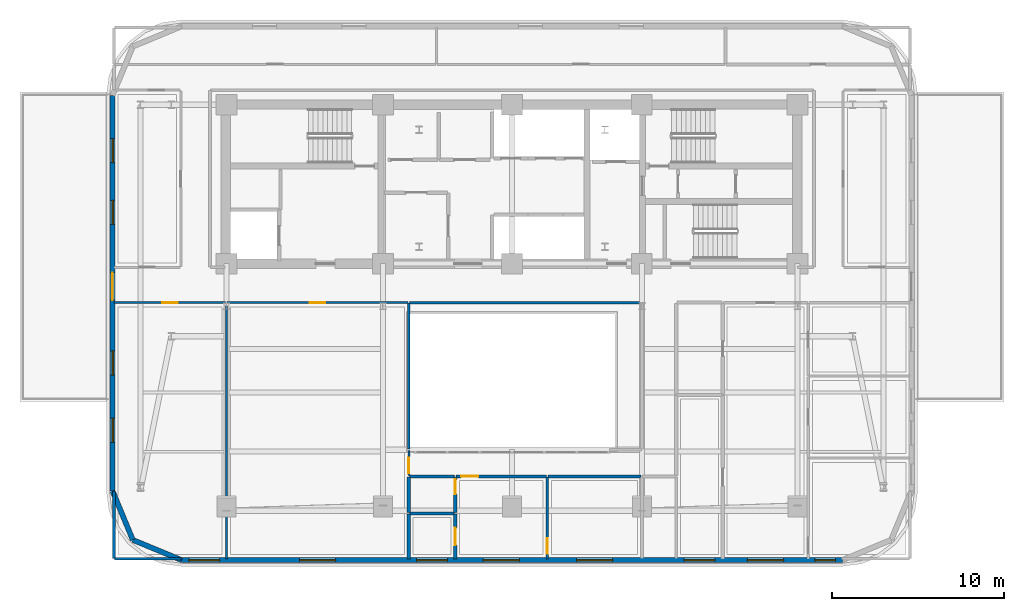
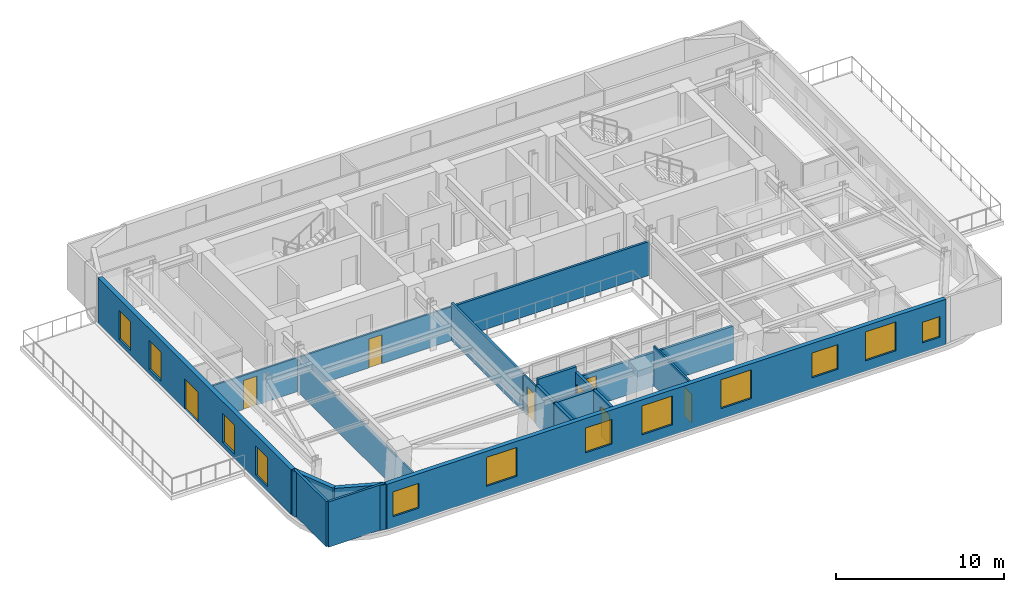
# One storey, part 6 of 13: 21 walls, 12 windows, 8 doors, 20 openings.
"""IFC4 building model written with IfcOpenShell, lengths in metres."""

from ifc_helpers import new_model, si_unit, direction, frame, frame_2d, origin, place, context, subcontext, project, spatial, rectangle, extrude, material, layer, layer_set, type_object, element, fill, save


model = new_model("IFC4")

# Units and contexts
model_context = context("Model", 3, precision=1e-05, world=origin(), true_north=direction((0.0, 1.0)))
body_context = subcontext(model_context, "Body", "Model", "MODEL_VIEW")
ifc_project = project(units=[si_unit("LENGTHUNIT", "METRE"), si_unit("AREAUNIT", "SQUARE_METRE"), si_unit("VOLUMEUNIT", "CUBIC_METRE"), si_unit("PLANEANGLEUNIT", "RADIAN"), si_unit("MASSUNIT", "GRAM", prefix="KILO")], contexts=[model_context])

# Site, building, storey
site_placement = place(None, origin())
site = spatial("IfcSite", under=ifc_project, at=site_placement, CompositionType="ELEMENT")
building_placement = place(site_placement, origin())
building = spatial("IfcBuilding", under=site, at=building_placement, Name="Zarnavel Station Tower", CompositionType="ELEMENT")
storey_placement = place(building_placement, frame((0.0, 0.0, 137.699951171875)))
storey = spatial("IfcBuildingStorey", under=building, at=storey_placement, Name="L37", CompositionType="ELEMENT", Elevation=137.699951171875)

# Wall, openings, door, windows
ifc_material_1 = material(Name="Precast concrete C45/55 (Dark Basalt Finish)", Category="masonry")
ifc_layer_1 = layer(ifc_material_1, 0.300048828125)
ifc_layer_set_1 = layer_set([ifc_layer_1], Name="EW_BASALT_300")
wall_type_1 = type_object("IfcWallType", Name="EW_BASALT_300", PredefinedType="SOLIDWALL", material=ifc_layer_set_1)
wall_1_placement = place(storey_placement, frame((5.580078125, 14.60009765625, 0.0), z_axis=(0.0, 0.0, 1.0), x_axis=(0.0, 1.0, 0.0)))
wall_1 = element("IfcWall", 1, at=wall_1_placement, inside=storey, type_object=wall_type_1, Name="L37 Exterior Basalt Masonry Frame Wall 09", PredefinedType="SOLIDWALL", context=body_context, shape_type="SweptSolid", body=[
    extrude(rectangle(XDim=23.0, YDim=0.300048828125, at=frame_2d((11.5, 0.0))), origin(), (0.0, 0.0, 1.0), 3.2900390625),
])
opening_1_placement = place(wall_1_placement, frame((11.10009765625, 0.0, 0.0)))
opening_1 = element("IfcOpeningElement", 2, at=opening_1_placement, cuts=wall_1, Name="Opening ED03", PredefinedType="OPENING", context=body_context, shape_type="SweptSolid", body=[
    extrude(rectangle(XDim=1.60009765625, YDim=2.199951171875, at=frame_2d((0.800048828125, 1.10009765625))), frame((0.0, 0.159912109375, 0.0), z_axis=(0.0, -1.0, 0.0), x_axis=(1.0, 0.0, 0.0)), (0.0, 0.0, 1.0), 0.320068359375),
])
opening_2_placement = place(wall_1_placement, frame((15.493408203125, 0.0, 0.340087890625)))
opening_2 = element("IfcOpeningElement", 3, at=opening_2_placement, cuts=wall_1, Name="Opening WN04", PredefinedType="OPENING", context=body_context, shape_type="SweptSolid", body=[
    extrude(rectangle(XDim=1.39990234375, YDim=2.10009765625, at=frame_2d((0.699951171875, 1.050048828125))), frame((0.0, 0.159912109375, 0.0), z_axis=(0.0, -1.0, 0.0), x_axis=(1.0, 0.0, 0.0)), (0.0, 0.0, 1.0), 0.320068359375),
])
opening_3_placement = place(wall_1_placement, frame((19.086669921875, 0.0, 0.340087890625)))
opening_3 = element("IfcOpeningElement", 4, at=opening_3_placement, cuts=wall_1, Name="Opening WN04", PredefinedType="OPENING", context=body_context, shape_type="SweptSolid", body=[
    extrude(rectangle(XDim=1.39990234375, YDim=2.10009765625, at=frame_2d((0.699951171875, 1.050048828125))), frame((0.0, 0.159912109375, 0.0), z_axis=(0.0, -1.0, 0.0), x_axis=(1.0, 0.0, 0.0)), (0.0, 0.0, 1.0), 0.320068359375),
])
opening_4_placement = place(wall_1_placement, frame((2.830078125, 0.0, 0.340087890625)))
opening_4 = element("IfcOpeningElement", 5, at=opening_4_placement, cuts=wall_1, Name="Opening WN04", PredefinedType="OPENING", context=body_context, shape_type="SweptSolid", body=[
    extrude(rectangle(XDim=1.39990234375, YDim=2.10009765625, at=frame_2d((0.699951171875, 1.050048828125))), frame((0.0, 0.159912109375, 0.0), z_axis=(0.0, -1.0, 0.0), x_axis=(1.0, 0.0, 0.0)), (0.0, 0.0, 1.0), 0.320068359375),
])
opening_5_placement = place(wall_1_placement, frame((6.739990234375, 0.0, 0.340087890625)))
opening_5 = element("IfcOpeningElement", 6, at=opening_5_placement, cuts=wall_1, Name="Opening WN04", PredefinedType="OPENING", context=body_context, shape_type="SweptSolid", body=[
    extrude(rectangle(XDim=1.39990234375, YDim=2.10009765625, at=frame_2d((0.699951171875, 1.050048828125))), frame((0.0, 0.159912109375, 0.0), z_axis=(0.0, -1.0, 0.0), x_axis=(1.0, 0.0, 0.0)), (0.0, 0.0, 1.0), 0.320068359375),
])
ifc_material_2 = material(Name="Thermally Broken Black Aluminium and Laminated Safety Glass", Category="aluminium")
door_type_1 = type_object("IfcDoorType", Name="ED_TERR_1600", OperationType="DOUBLE_DOOR_SLIDING", PredefinedType="DOOR", material=ifc_material_2)
door_1_placement = place(opening_1_placement, origin())
door_1 = element("IfcDoor", 7, at=door_1_placement, inside=storey, type_object=door_type_1, Name="L37 W Setback Terrace Door", OperationType="DOUBLE_DOOR_SLIDING", OverallHeight=2.199951171875, OverallWidth=1.60009765625, PredefinedType="DOOR", context=body_context, shape_type="SweptSolid", body=[
    extrude(rectangle(XDim=1.60009765625, YDim=2.199951171875, at=frame_2d((0.800048828125, 1.10009765625))), frame((0.0, 0.02490234375, 0.0), z_axis=(0.0, -1.0, 0.0), x_axis=(1.0, 0.0, 0.0)), (0.0, 0.0, 1.0), 0.050048828125),
])
fill(opening_1, door_1)
ifc_material_3 = material(Name="Thermally Broken Black Aluminium and Low-E Dark Glass", Category="aluminium")
window_type_1 = type_object("IfcWindowType", Name="WN_1400x2100", PartitioningType="DOUBLE_PANEL_VERTICAL", PredefinedType="WINDOW", material=ifc_material_3)
window_1_placement = place(opening_2_placement, origin())
window_1 = element("IfcWindow", 8, at=window_1_placement, inside=storey, type_object=window_type_1, Name="L37 Recessed Facade Window 01", OverallHeight=2.10009765625, OverallWidth=1.39990234375, PartitioningType="SINGLE_PANEL", PredefinedType="WINDOW", context=body_context, shape_type="SweptSolid", body=[
    extrude(rectangle(XDim=1.39990234375, YDim=2.10009765625, at=frame_2d((0.699951171875, 1.050048828125))), frame((0.0, 0.030029296875, 0.0), z_axis=(0.0, -1.0, 0.0), x_axis=(1.0, 0.0, 0.0)), (0.0, 0.0, 1.0), 0.06005859375),
])
fill(opening_2, window_1)
window_2_placement = place(opening_3_placement, origin())
window_2 = element("IfcWindow", 9, at=window_2_placement, inside=storey, type_object=window_type_1, Name="L37 Recessed Facade Window 02", OverallHeight=2.10009765625, OverallWidth=1.39990234375, PartitioningType="SINGLE_PANEL", PredefinedType="WINDOW", context=body_context, shape_type="SweptSolid", body=[
    extrude(rectangle(XDim=1.39990234375, YDim=2.10009765625, at=frame_2d((0.699951171875, 1.050048828125))), frame((0.0, 0.030029296875, 0.0), z_axis=(0.0, -1.0, 0.0), x_axis=(1.0, 0.0, 0.0)), (0.0, 0.0, 1.0), 0.06005859375),
])
fill(opening_3, window_2)
window_3_placement = place(opening_4_placement, origin())
window_3 = element("IfcWindow", 10, at=window_3_placement, inside=storey, type_object=window_type_1, Name="L37 Recessed Facade Window 03", OverallHeight=2.10009765625, OverallWidth=1.39990234375, PartitioningType="SINGLE_PANEL", PredefinedType="WINDOW", context=body_context, shape_type="SweptSolid", body=[
    extrude(rectangle(XDim=1.39990234375, YDim=2.10009765625, at=frame_2d((0.699951171875, 1.050048828125))), frame((0.0, 0.030029296875, 0.0), z_axis=(0.0, -1.0, 0.0), x_axis=(1.0, 0.0, 0.0)), (0.0, 0.0, 1.0), 0.06005859375),
])
fill(opening_4, window_3)
window_4_placement = place(opening_5_placement, origin())
window_4 = element("IfcWindow", 11, at=window_4_placement, inside=storey, type_object=window_type_1, Name="L37 Recessed Facade Window 04", OverallHeight=2.10009765625, OverallWidth=1.39990234375, PartitioningType="SINGLE_PANEL", PredefinedType="WINDOW", context=body_context, shape_type="SweptSolid", body=[
    extrude(rectangle(XDim=1.39990234375, YDim=2.10009765625, at=frame_2d((0.699951171875, 1.050048828125))), frame((0.0, 0.030029296875, 0.0), z_axis=(0.0, -1.0, 0.0), x_axis=(1.0, 0.0, 0.0)), (0.0, 0.0, 1.0), 0.06005859375),
])
fill(opening_5, window_4)

# Walls
for number, where, z_axis, x_axis, name in (
    (12, (6.75732421875, 11.75732421875, 0.0), (0.0, 0.0, 1.0), (-0.382608747773, 0.923910464346, 0.0), "L37 Exterior Basalt Masonry Frame Wall 10"),
    (13, (9.60009765625, 10.580078125, 0.0), (0.0, 0.0, 1.0), (-0.923910464346, 0.382608747773, 0.0), "L37 Exterior Basalt Masonry Frame Wall 11"),
):
    element("IfcWall", number, at=place(storey_placement, frame(where, z_axis=z_axis, x_axis=x_axis)), inside=storey, type_object=wall_type_1, Name=name, PredefinedType="SOLIDWALL", context=body_context, shape_type="SweptSolid", body=[
        extrude(rectangle(XDim=3.076904296875, YDim=0.300048828125, at=frame_2d((1.53857421875, 0.0))), origin(), (0.0, 0.0, 1.0), 3.2900390625),
    ])

# Wall, openings, windows
wall_2_placement = place(storey_placement, frame((48.0, 10.580078125, 0.0), z_axis=(0.0, 0.0, 1.0), x_axis=(-1.0, 0.0, 0.0)))
wall_2 = element("IfcWall", 14, at=wall_2_placement, inside=storey, type_object=wall_type_1, Name="L37 Exterior Basalt Masonry Frame Wall 12", PredefinedType="SOLIDWALL", context=body_context, shape_type="SweptSolid", body=[
    extrude(rectangle(XDim=38.39990234375, YDim=0.300048828125, at=frame_2d((19.199951171875, 0.0))), origin(), (0.0, 0.0, 1.0), 3.2900390625),
])
opening_6_placement = place(wall_2_placement, frame((36.18994140625, 0.0, 0.800048828125)))
opening_6 = element("IfcOpeningElement", 15, at=opening_6_placement, cuts=wall_2, Name="Opening WN02", PredefinedType="OPENING", context=body_context, shape_type="SweptSolid", body=[
    extrude(rectangle(XDim=1.800048828125, YDim=1.800048828125, at=frame_2d((0.89990234375, 0.89990234375))), frame((0.0, 0.159912109375, 0.0), z_axis=(0.0, -1.0, 0.0), x_axis=(1.0, 0.0, 0.0)), (0.0, 0.0, 1.0), 0.320068359375),
])
opening_7_placement = place(wall_2_placement, frame((29.449951171875, 0.0, 0.75)))
opening_7 = element("IfcOpeningElement", 16, at=opening_7_placement, cuts=wall_2, Name="Opening WN05", PredefinedType="OPENING", context=body_context, shape_type="SweptSolid", body=[
    extrude(rectangle(XDim=2.10009765625, YDim=2.10009765625, at=frame_2d((1.050048828125, 1.050048828125))), frame((0.0, 0.159912109375, 0.0), z_axis=(0.0, -1.0, 0.0), x_axis=(1.0, 0.0, 0.0)), (0.0, 0.0, 1.0), 0.320068359375),
])
opening_8_placement = place(wall_2_placement, frame((18.77490234375, 0.0, 0.75)))
opening_8 = element("IfcOpeningElement", 17, at=opening_8_placement, cuts=wall_2, Name="Opening WN05", PredefinedType="OPENING", context=body_context, shape_type="SweptSolid", body=[
    extrude(rectangle(XDim=2.10009765625, YDim=2.10009765625, at=frame_2d((1.050048828125, 1.050048828125))), frame((0.0, 0.159912109375, 0.0), z_axis=(0.0, -1.0, 0.0), x_axis=(1.0, 0.0, 0.0)), (0.0, 0.0, 1.0), 0.320068359375),
])
opening_9_placement = place(wall_2_placement, frame((22.949951171875, 0.0, 0.800048828125)))
opening_9 = element("IfcOpeningElement", 18, at=opening_9_placement, cuts=wall_2, Name="Opening WN02", PredefinedType="OPENING", context=body_context, shape_type="SweptSolid", body=[
    extrude(rectangle(XDim=1.800048828125, YDim=1.800048828125, at=frame_2d((0.89990234375, 0.89990234375))), frame((0.0, 0.159912109375, 0.0), z_axis=(0.0, -1.0, 0.0), x_axis=(1.0, 0.0, 0.0)), (0.0, 0.0, 1.0), 0.320068359375),
])
opening_10_placement = place(wall_2_placement, frame((13.35009765625, 0.0, 0.75)))
opening_10 = element("IfcOpeningElement", 19, at=opening_10_placement, cuts=wall_2, Name="Opening WN05", PredefinedType="OPENING", context=body_context, shape_type="SweptSolid", body=[
    extrude(rectangle(XDim=2.10009765625, YDim=2.10009765625, at=frame_2d((1.050048828125, 1.050048828125))), frame((0.0, 0.159912109375, 0.0), z_axis=(0.0, -1.0, 0.0), x_axis=(1.0, 0.0, 0.0)), (0.0, 0.0, 1.0), 0.320068359375),
])
opening_11_placement = place(wall_2_placement, frame((3.4150390625, 0.0, 0.75)))
opening_11 = element("IfcOpeningElement", 20, at=opening_11_placement, cuts=wall_2, Name="Opening WN05", PredefinedType="OPENING", context=body_context, shape_type="SweptSolid", body=[
    extrude(rectangle(XDim=2.10009765625, YDim=2.10009765625, at=frame_2d((1.050048828125, 1.050048828125))), frame((0.0, 0.159912109375, 0.0), z_axis=(0.0, -1.0, 0.0), x_axis=(1.0, 0.0, 0.0)), (0.0, 0.0, 1.0), 0.320068359375),
])
opening_12_placement = place(wall_2_placement, frame((7.39990234375, 0.0, 0.800048828125)))
opening_12 = element("IfcOpeningElement", 21, at=opening_12_placement, cuts=wall_2, Name="Opening WN02", PredefinedType="OPENING", context=body_context, shape_type="SweptSolid", body=[
    extrude(rectangle(XDim=1.800048828125, YDim=1.800048828125, at=frame_2d((0.89990234375, 0.89990234375))), frame((0.0, 0.159912109375, 0.0), z_axis=(0.0, -1.0, 0.0), x_axis=(1.0, 0.0, 0.0)), (0.0, 0.0, 1.0), 0.320068359375),
])
opening_13_placement = place(wall_2_placement, frame((0.39990234375, 0.0, 0.679931640625)))
opening_13 = element("IfcOpeningElement", 22, at=opening_13_placement, cuts=wall_2, Name="Opening WN08", PredefinedType="OPENING", context=body_context, shape_type="SweptSolid", body=[
    extrude(rectangle(XDim=1.199951171875, YDim=1.5, at=frame_2d((0.60009765625, 0.75))), frame((0.0, 0.159912109375, 0.0), z_axis=(0.0, -1.0, 0.0), x_axis=(1.0, 0.0, 0.0)), (0.0, 0.0, 1.0), 0.320068359375),
])
ifc_material_4 = material(Name="Thermally Broken Black Aluminium and Low-E Dark Glass", Category="aluminium")
window_type_2 = type_object("IfcWindowType", Name="WN_1200x1500", PartitioningType="SINGLE_PANEL", PredefinedType="WINDOW", material=ifc_material_4)
window_5_placement = place(opening_13_placement, origin())
window_5 = element("IfcWindow", 23, at=window_5_placement, inside=storey, type_object=window_type_2, Name="L37 Recessed Facade Window 08", OverallHeight=1.5, OverallWidth=1.199951171875, PartitioningType="SINGLE_PANEL", PredefinedType="WINDOW", context=body_context, shape_type="SweptSolid", body=[
    extrude(rectangle(XDim=1.199951171875, YDim=1.5, at=frame_2d((0.60009765625, 0.75))), frame((0.0, 0.030029296875, 0.0), z_axis=(0.0, -1.0, 0.0), x_axis=(1.0, 0.0, 0.0)), (0.0, 0.0, 1.0), 0.06005859375),
])
fill(opening_13, window_5)
ifc_material_5 = material(Name="Thermally Broken Black Aluminium and Low-E Dark Glass", Category="aluminium")
window_type_3 = type_object("IfcWindowType", Name="WN_1800x1800", PartitioningType="DOUBLE_PANEL_VERTICAL", PredefinedType="WINDOW", material=ifc_material_5)
window_6_placement = place(opening_6_placement, origin())
window_6 = element("IfcWindow", 24, at=window_6_placement, inside=storey, type_object=window_type_3, Name="L37 Recessed Facade Window 01", OverallHeight=1.800048828125, OverallWidth=1.800048828125, PartitioningType="SINGLE_PANEL", PredefinedType="WINDOW", context=body_context, shape_type="SweptSolid", body=[
    extrude(rectangle(XDim=1.800048828125, YDim=1.800048828125, at=frame_2d((0.89990234375, 0.89990234375))), frame((0.0, 0.030029296875, 0.0), z_axis=(0.0, -1.0, 0.0), x_axis=(1.0, 0.0, 0.0)), (0.0, 0.0, 1.0), 0.06005859375),
])
fill(opening_6, window_6)
window_7_placement = place(opening_9_placement, origin())
window_7 = element("IfcWindow", 25, at=window_7_placement, inside=storey, type_object=window_type_3, Name="L37 Recessed Facade Window 04", OverallHeight=1.800048828125, OverallWidth=1.800048828125, PartitioningType="SINGLE_PANEL", PredefinedType="WINDOW", context=body_context, shape_type="SweptSolid", body=[
    extrude(rectangle(XDim=1.800048828125, YDim=1.800048828125, at=frame_2d((0.89990234375, 0.89990234375))), frame((0.0, 0.030029296875, 0.0), z_axis=(0.0, -1.0, 0.0), x_axis=(1.0, 0.0, 0.0)), (0.0, 0.0, 1.0), 0.06005859375),
])
fill(opening_9, window_7)
window_8_placement = place(opening_12_placement, origin())
window_8 = element("IfcWindow", 26, at=window_8_placement, inside=storey, type_object=window_type_3, Name="L37 Recessed Facade Window 07", OverallHeight=1.800048828125, OverallWidth=1.800048828125, PartitioningType="SINGLE_PANEL", PredefinedType="WINDOW", context=body_context, shape_type="SweptSolid", body=[
    extrude(rectangle(XDim=1.800048828125, YDim=1.800048828125, at=frame_2d((0.89990234375, 0.89990234375))), frame((0.0, 0.030029296875, 0.0), z_axis=(0.0, -1.0, 0.0), x_axis=(1.0, 0.0, 0.0)), (0.0, 0.0, 1.0), 0.06005859375),
])
fill(opening_12, window_8)
ifc_material_6 = material(Name="Thermally Broken Black Aluminium and Low-E Dark Glass", Category="aluminium")
window_type_4 = type_object("IfcWindowType", Name="WN_2100x2100", PartitioningType="TRIPLE_PANEL_VERTICAL", PredefinedType="WINDOW", material=ifc_material_6)
window_9_placement = place(opening_7_placement, origin())
window_9 = element("IfcWindow", 27, at=window_9_placement, inside=storey, type_object=window_type_4, Name="L37 Recessed Facade Window 02", OverallHeight=2.10009765625, OverallWidth=2.10009765625, PartitioningType="SINGLE_PANEL", PredefinedType="WINDOW", context=body_context, shape_type="SweptSolid", body=[
    extrude(rectangle(XDim=2.10009765625, YDim=2.10009765625, at=frame_2d((1.050048828125, 1.050048828125))), frame((0.0, 0.030029296875, 0.0), z_axis=(0.0, -1.0, 0.0), x_axis=(1.0, 0.0, 0.0)), (0.0, 0.0, 1.0), 0.06005859375),
])
fill(opening_7, window_9)
window_10_placement = place(opening_8_placement, origin())
window_10 = element("IfcWindow", 28, at=window_10_placement, inside=storey, type_object=window_type_4, Name="L37 Recessed Facade Window 03", OverallHeight=2.10009765625, OverallWidth=2.10009765625, PartitioningType="SINGLE_PANEL", PredefinedType="WINDOW", context=body_context, shape_type="SweptSolid", body=[
    extrude(rectangle(XDim=2.10009765625, YDim=2.10009765625, at=frame_2d((1.050048828125, 1.050048828125))), frame((0.0, 0.030029296875, 0.0), z_axis=(0.0, -1.0, 0.0), x_axis=(1.0, 0.0, 0.0)), (0.0, 0.0, 1.0), 0.06005859375),
])
fill(opening_8, window_10)
window_11_placement = place(opening_10_placement, origin())
window_11 = element("IfcWindow", 29, at=window_11_placement, inside=storey, type_object=window_type_4, Name="L37 Recessed Facade Window 05", OverallHeight=2.10009765625, OverallWidth=2.10009765625, PartitioningType="SINGLE_PANEL", PredefinedType="WINDOW", context=body_context, shape_type="SweptSolid", body=[
    extrude(rectangle(XDim=2.10009765625, YDim=2.10009765625, at=frame_2d((1.050048828125, 1.050048828125))), frame((0.0, 0.030029296875, 0.0), z_axis=(0.0, -1.0, 0.0), x_axis=(1.0, 0.0, 0.0)), (0.0, 0.0, 1.0), 0.06005859375),
])
fill(opening_10, window_11)
window_12_placement = place(opening_11_placement, origin())
window_12 = element("IfcWindow", 30, at=window_12_placement, inside=storey, type_object=window_type_4, Name="L37 Recessed Facade Window 06", OverallHeight=2.10009765625, OverallWidth=2.10009765625, PartitioningType="SINGLE_PANEL", PredefinedType="WINDOW", context=body_context, shape_type="SweptSolid", body=[
    extrude(rectangle(XDim=2.10009765625, YDim=2.10009765625, at=frame_2d((1.050048828125, 1.050048828125))), frame((0.0, 0.030029296875, 0.0), z_axis=(0.0, -1.0, 0.0), x_axis=(1.0, 0.0, 0.0)), (0.0, 0.0, 1.0), 0.06005859375),
])
fill(opening_11, window_12)

# Wall, opening, door
ifc_material_7 = material(Name="Gypsum Twin-Stud Acoustic Fire Partition", Category="concrete")
ifc_layer_2 = layer(ifc_material_7, 0.159912109375)
ifc_layer_set_2 = layer_set([ifc_layer_2], Name="PT_DEMISE_160")
wall_type_2 = type_object("IfcWallType", Name="PT_DEMISE_160", PredefinedType="PARTITIONING", material=ifc_layer_set_2)
wall_3_placement = place(storey_placement, frame((25.5400390625, 15.449951171875, 0.0), z_axis=(0.0, 0.0, 1.0), x_axis=(1.0, 0.0, 0.0)))
wall_3 = element("IfcWall", 31, at=wall_3_placement, inside=storey, type_object=wall_type_2, Name="L37 Partition COR-AS-US1LV", PredefinedType="PARTITIONING", context=body_context, shape_type="SweptSolid", body=[
    extrude(rectangle(XDim=5.27001953125, YDim=0.159912109375, at=frame_2d((2.635009765625, 0.0))), origin(), (0.0, 0.0, 1.0), 2.4560546875),
])
opening_14_placement = place(wall_3_placement, frame((0.30615234375, 0.0, 0.0)))
opening_14 = element("IfcOpeningElement", 32, at=opening_14_placement, cuts=wall_3, Name="Opening FD02", PredefinedType="OPENING", context=body_context, shape_type="SweptSolid", body=[
    extrude(rectangle(XDim=1.0, YDim=2.14990234375, at=frame_2d((0.5, 1.074951171875))), frame((0.0, 0.08984375, 0.0), z_axis=(0.0, -1.0, 0.0), x_axis=(1.0, 0.0, 0.0)), (0.0, 0.0, 1.0), 0.179931640625),
])
ifc_material_8 = material(Name="Painted Galvanised Steel and Hardwood Leaf", Category="steel")
door_type_2 = type_object("IfcDoorType", Name="ID_ENTRY_1000", OperationType="NOTDEFINED", PredefinedType="DOOR", material=ifc_material_8)
door_2_placement = place(opening_14_placement, origin())
door_2 = element("IfcDoor", 33, at=door_2_placement, inside=storey, type_object=door_type_2, Name="L37 Door COR-AS-US1LV", OperationType="SINGLE_SWING_LEFT", OverallHeight=2.14990234375, OverallWidth=1.0, PredefinedType="DOOR", context=body_context, shape_type="SweptSolid", body=[
    extrude(rectangle(XDim=1.0, YDim=2.14990234375, at=frame_2d((0.5, 1.074951171875))), frame((0.0, 0.02490234375, 0.0), z_axis=(0.0, -1.0, 0.0), x_axis=(1.0, 0.0, 0.0)), (0.0, 0.0, 1.0), 0.050048828125),
])
fill(opening_14, door_2)

# Walls
wall_4_placement = place(storey_placement, frame((30.889892578125, 15.449951171875, 0.0), z_axis=(0.0, 0.0, 1.0), x_axis=(1.0, 0.0, 0.0)))
element("IfcWall", 34, at=wall_4_placement, inside=storey, type_object=wall_type_2, Name="L37 Partition COR-AS-US1B1", PredefinedType="PARTITIONING", context=body_context, shape_type="SweptSolid", body=[
    extrude(rectangle(XDim=5.420166015625, YDim=0.159912109375, at=frame_2d((2.7099609375, 0.0))), origin(), (0.0, 0.0, 1.0), 2.4560546875),
])
wall_5_placement = place(storey_placement, frame((22.830078125, 25.550048828125, 0.0), z_axis=(0.0, 0.0, 1.0), x_axis=(1.0, 0.0, 0.0)))
element("IfcWall", 35, at=wall_5_placement, inside=storey, type_object=wall_type_2, Name="L37 Enclosure Wall COR-S", PredefinedType="PARTITIONING", context=body_context, shape_type="SweptSolid", body=[
    extrude(rectangle(XDim=13.489990234375, YDim=0.159912109375, at=frame_2d((6.7451171875, 0.0))), origin(), (0.0, 0.0, 1.0), 2.4560546875),
])
for number, where, z_axis, x_axis, name in (
    (36, (5.68994140625, 10.659912109375, 0.0), (0.0, 0.0, 1.0), (1.0, 0.0, 0.0), "L37 Enclosure Wall L37CLB"),
    (37, (5.659912109375, 10.68994140625, 0.0), (0.0, 0.0, 1.0), (0.0, 1.0, 0.0), "L37 Enclosure Wall L37CLB"),
):
    element("IfcWall", number, at=place(storey_placement, frame(where, z_axis=z_axis, x_axis=x_axis)), inside=storey, type_object=wall_type_2, Name=name, PredefinedType="PARTITIONING", context=body_context, shape_type="SweptSolid", body=[
        extrude(rectangle(XDim=3.880126953125, YDim=0.159912109375, at=frame_2d((1.93994140625, 0.0))), origin(), (0.0, 0.0, 1.0), 3.2900390625),
    ])
wall_6_placement = place(storey_placement, frame((22.800048828125, 17.030029296875, 0.0), z_axis=(0.0, 0.0, 1.0), x_axis=(0.0, 1.0, 0.0)))
element("IfcWall", 38, at=wall_6_placement, inside=storey, type_object=wall_type_2, Name="L37 Enclosure Wall L37GYM", PredefinedType="PARTITIONING", context=body_context, shape_type="SweptSolid", body=[
    extrude(rectangle(XDim=8.489990234375, YDim=0.159912109375, at=frame_2d((4.2451171875, 0.0))), origin(), (0.0, 0.0, 1.0), 2.72998046875),
])

# Wall, opening, door
ifc_material_9 = material(Name="Gypsum Metal-Stud Interior Partition", Category="concrete")
ifc_layer_3 = layer(ifc_material_9, 0.1201171875)
ifc_layer_set_3 = layer_set([ifc_layer_3], Name="PT_ROOM_120")
wall_type_3 = type_object("IfcWallType", Name="PT_ROOM_120", PredefinedType="PARTITIONING", material=ifc_layer_set_3)
wall_7_placement = place(storey_placement, frame((5.659912109375, 25.550048828125, 0.0), z_axis=(0.0, 0.0, 1.0), x_axis=(1.0, 0.0, 0.0)))
wall_7 = element("IfcWall", 39, at=wall_7_placement, inside=storey, type_object=wall_type_3, Name="L37 Partition COR-S-L37CLB", PredefinedType="PARTITIONING", context=body_context, shape_type="SweptSolid", body=[
    extrude(rectangle(XDim=6.5, YDim=0.1201171875, at=frame_2d((3.25, 0.0))), origin(), (0.0, 0.0, 1.0), 2.4560546875),
])
opening_15_placement = place(wall_7_placement, frame((2.800048828125, 0.0, 0.0)))
opening_15 = element("IfcOpeningElement", 40, at=opening_15_placement, cuts=wall_7, Name="Opening ID01", PredefinedType="OPENING", context=body_context, shape_type="SweptSolid", body=[
    extrude(rectangle(XDim=0.89990234375, YDim=2.10009765625, at=frame_2d((0.449951171875, 1.050048828125))), frame((0.0, 0.070068359375, 0.0), z_axis=(0.0, -1.0, 0.0), x_axis=(1.0, 0.0, 0.0)), (0.0, 0.0, 1.0), 0.14013671875),
])
ifc_material_10 = material(Name="Painted Galvanised Steel and Hardwood Leaf", Category="steel")
door_type_3 = type_object("IfcDoorType", Name="ID_ROOM_900", OperationType="NOTDEFINED", PredefinedType="DOOR", material=ifc_material_10)
door_3_placement = place(opening_15_placement, origin())
door_3 = element("IfcDoor", 41, at=door_3_placement, inside=storey, type_object=door_type_3, Name="L37 Door COR-S-L37CLB", OperationType="SINGLE_SWING_RIGHT", OverallHeight=2.10009765625, OverallWidth=0.89990234375, PredefinedType="DOOR", context=body_context, shape_type="SweptSolid", body=[
    extrude(rectangle(XDim=0.89990234375, YDim=2.10009765625, at=frame_2d((0.449951171875, 1.050048828125))), frame((0.0, 0.02490234375, 0.0), z_axis=(0.0, -1.0, 0.0), x_axis=(1.0, 0.0, 0.0)), (0.0, 0.0, 1.0), 0.050048828125),
])
fill(opening_15, door_3)

wall_8_placement = place(storey_placement, frame((12.239990234375, 25.550048828125, 0.0), z_axis=(0.0, 0.0, 1.0), x_axis=(1.0, 0.0, 0.0)))
wall_8 = element("IfcWall", 42, at=wall_8_placement, inside=storey, type_object=wall_type_3, Name="L37 Partition COR-S-L37GYM", PredefinedType="PARTITIONING", context=body_context, shape_type="SweptSolid", body=[
    extrude(rectangle(XDim=10.52001953125, YDim=0.1201171875, at=frame_2d((5.260009765625, 0.0))), origin(), (0.0, 0.0, 1.0), 2.4560546875),
])
opening_16_placement = place(wall_8_placement, frame((4.81005859375, 0.0, 0.0)))
opening_16 = element("IfcOpeningElement", 43, at=opening_16_placement, cuts=wall_8, Name="Opening ID01", PredefinedType="OPENING", context=body_context, shape_type="SweptSolid", body=[
    extrude(rectangle(XDim=0.89990234375, YDim=2.10009765625, at=frame_2d((0.449951171875, 1.050048828125))), frame((0.0, 0.070068359375, 0.0), z_axis=(0.0, -1.0, 0.0), x_axis=(1.0, 0.0, 0.0)), (0.0, 0.0, 1.0), 0.14013671875),
])
door_4_placement = place(opening_16_placement, origin())
door_4 = element("IfcDoor", 44, at=door_4_placement, inside=storey, type_object=door_type_3, Name="L37 Door COR-S-L37GYM", OperationType="SINGLE_SWING_LEFT", OverallHeight=2.10009765625, OverallWidth=0.89990234375, PredefinedType="DOOR", context=body_context, shape_type="SweptSolid", body=[
    extrude(rectangle(XDim=0.89990234375, YDim=2.10009765625, at=frame_2d((0.449951171875, 1.050048828125))), frame((0.0, 0.02490234375, 0.0), z_axis=(0.0, -1.0, 0.0), x_axis=(1.0, 0.0, 0.0)), (0.0, 0.0, 1.0), 0.050048828125),
])
fill(opening_16, door_4)

wall_9_placement = place(storey_placement, frame((22.800048828125, 15.489990234375, 0.0), z_axis=(0.0, 0.0, 1.0), x_axis=(0.0, 1.0, 0.0)))
wall_9 = element("IfcWall", 45, at=wall_9_placement, inside=storey, type_object=wall_type_3, Name="L37 Partition COR-AS-L37GYM", PredefinedType="PARTITIONING", context=body_context, shape_type="SweptSolid", body=[
    extrude(rectangle(XDim=1.469970703125, YDim=0.1201171875, at=frame_2d((0.73486328125, 0.0))), origin(), (0.0, 0.0, 1.0), 2.72998046875),
])
opening_17_placement = place(wall_9_placement, frame((0.152099609375, 0.0, 0.0)))
opening_17 = element("IfcOpeningElement", 46, at=opening_17_placement, cuts=wall_9, Name="Opening ID01", PredefinedType="OPENING", context=body_context, shape_type="SweptSolid", body=[
    extrude(rectangle(XDim=0.89990234375, YDim=2.10009765625, at=frame_2d((0.449951171875, 1.050048828125))), frame((0.0, 0.070068359375, 0.0), z_axis=(0.0, -1.0, 0.0), x_axis=(1.0, 0.0, 0.0)), (0.0, 0.0, 1.0), 0.14013671875),
])
door_5_placement = place(opening_17_placement, origin())
door_5 = element("IfcDoor", 47, at=door_5_placement, inside=storey, type_object=door_type_3, Name="L37 Door COR-AS-L37GYM", OperationType="SINGLE_SWING_RIGHT", OverallHeight=2.10009765625, OverallWidth=0.89990234375, PredefinedType="DOOR", context=body_context, shape_type="SweptSolid", body=[
    extrude(rectangle(XDim=0.89990234375, YDim=2.10009765625, at=frame_2d((0.449951171875, 1.050048828125))), frame((0.0, 0.02490234375, 0.0), z_axis=(0.0, -1.0, 0.0), x_axis=(1.0, 0.0, 0.0)), (0.0, 0.0, 1.0), 0.050048828125),
])
fill(opening_17, door_5)

# Wall
wall_10_placement = place(storey_placement, frame((12.199951171875, 10.659912109375, 0.0), z_axis=(0.0, 0.0, 1.0), x_axis=(0.0, 1.0, 0.0)))
element("IfcWall", 48, at=wall_10_placement, inside=storey, type_object=wall_type_3, Name="L37 Partition L37CLB-L37GYM", PredefinedType="PARTITIONING", context=body_context, shape_type="SweptSolid", body=[
    extrude(rectangle(XDim=14.85009765625, YDim=0.1201171875, at=frame_2d((7.425048828125, 0.0))), origin(), (0.0, 0.0, 1.0), 2.4560546875),
])

# Wall, opening, door
wall_11_placement = place(storey_placement, frame((30.85009765625, 10.659912109375, 0.0), z_axis=(0.0, 0.0, 1.0), x_axis=(0.0, 1.0, 0.0)))
wall_11 = element("IfcWall", 49, at=wall_11_placement, inside=storey, type_object=wall_type_3, Name="L37 Partition US1LV-US1B1", PredefinedType="PARTITIONING", context=body_context, shape_type="SweptSolid", body=[
    extrude(rectangle(XDim=4.75, YDim=0.1201171875, at=frame_2d((2.375, 0.0))), origin(), (0.0, 0.0, 1.0), 2.91015625),
])
opening_18_placement = place(wall_11_placement, frame((0.288818359375, 0.0, 0.0)))
opening_18 = element("IfcOpeningElement", 50, at=opening_18_placement, cuts=wall_11, Name="Opening ID01", PredefinedType="OPENING", context=body_context, shape_type="SweptSolid", body=[
    extrude(rectangle(XDim=0.89990234375, YDim=2.10009765625, at=frame_2d((0.449951171875, 1.050048828125))), frame((0.0, 0.070068359375, 0.0), z_axis=(0.0, -1.0, 0.0), x_axis=(1.0, 0.0, 0.0)), (0.0, 0.0, 1.0), 0.14013671875),
])
door_6_placement = place(opening_18_placement, origin())
door_6 = element("IfcDoor", 51, at=door_6_placement, inside=storey, type_object=door_type_3, Name="L37 Door US1LV-US1B1", OperationType="SINGLE_SWING_RIGHT", OverallHeight=2.10009765625, OverallWidth=0.89990234375, PredefinedType="DOOR", context=body_context, shape_type="SweptSolid", body=[
    extrude(rectangle(XDim=0.89990234375, YDim=2.10009765625, at=frame_2d((0.449951171875, 1.050048828125))), frame((0.0, 0.02490234375, 0.0), z_axis=(0.0, -1.0, 0.0), x_axis=(1.0, 0.0, 0.0)), (0.0, 0.0, 1.0), 0.050048828125),
])
fill(opening_18, door_6)

# Walls
ifc_material_11 = material(Name="Moisture-Resistant Plumbing Chase Wall", Category="concrete")
ifc_layer_4 = layer(ifc_material_11, 0.179931640625)
ifc_layer_set_4 = layer_set([ifc_layer_4], Name="PW_PLUMB_180")
wall_type_4 = type_object("IfcWallType", Name="PW_PLUMB_180", PredefinedType="PLUMBINGWALL", material=ifc_layer_set_4)
wall_12_placement = place(storey_placement, frame((22.840087890625, 15.449951171875, 0.0), z_axis=(0.0, 0.0, 1.0), x_axis=(1.0, 0.0, 0.0)))
element("IfcWall", 52, at=wall_12_placement, inside=storey, type_object=wall_type_4, Name="L37 Partition COR-AS-US1BA", PredefinedType="PLUMBINGWALL", context=body_context, shape_type="SweptSolid", body=[
    extrude(rectangle(XDim=2.619873046875, YDim=0.179931640625, at=frame_2d((1.31005859375, 0.0))), origin(), (0.0, 0.0, 1.0), 3.2900390625),
])
wall_13_placement = place(storey_placement, frame((22.800048828125, 10.659912109375, 0.0), z_axis=(0.0, 0.0, 1.0), x_axis=(0.0, 1.0, 0.0)))
element("IfcWall", 53, at=wall_13_placement, inside=storey, type_object=wall_type_4, Name="L37 Partition L37GYM-US1KT", PredefinedType="PLUMBINGWALL", context=body_context, shape_type="SweptSolid", body=[
    extrude(rectangle(XDim=2.60009765625, YDim=0.179931640625, at=frame_2d((1.300048828125, 0.0))), origin(), (0.0, 0.0, 1.0), 2.91015625),
])
wall_14_placement = place(storey_placement, frame((22.800048828125, 13.340087890625, 0.0), z_axis=(0.0, 0.0, 1.0), x_axis=(0.0, 1.0, 0.0)))
element("IfcWall", 54, at=wall_14_placement, inside=storey, type_object=wall_type_4, Name="L37 Partition L37GYM-US1BA", PredefinedType="PLUMBINGWALL", context=body_context, shape_type="SweptSolid", body=[
    extrude(rectangle(XDim=2.06982421875, YDim=0.179931640625, at=frame_2d((1.034912109375, 0.0))), origin(), (0.0, 0.0, 1.0), 2.91015625),
])

# Wall, opening, door
wall_15_placement = place(storey_placement, frame((25.5, 10.659912109375, 0.0), z_axis=(0.0, 0.0, 1.0), x_axis=(0.0, 1.0, 0.0)))
wall_15 = element("IfcWall", 55, at=wall_15_placement, inside=storey, type_object=wall_type_4, Name="L37 Partition US1LV-US1KT", PredefinedType="PLUMBINGWALL", context=body_context, shape_type="SweptSolid", body=[
    extrude(rectangle(XDim=2.60009765625, YDim=0.179931640625, at=frame_2d((1.300048828125, 0.0))), origin(), (0.0, 0.0, 1.0), 2.91015625),
])
opening_19_placement = place(wall_15_placement, frame((0.800048828125, 0.0, 0.0)))
opening_19 = element("IfcOpeningElement", 56, at=opening_19_placement, cuts=wall_15, Name="Opening FD02", PredefinedType="OPENING", context=body_context, shape_type="SweptSolid", body=[
    extrude(rectangle(XDim=1.0, YDim=2.14990234375, at=frame_2d((0.5, 1.074951171875))), frame((0.0, 0.099853515625, 0.0), z_axis=(0.0, -1.0, 0.0), x_axis=(1.0, 0.0, 0.0)), (0.0, 0.0, 1.0), 0.199951171875),
])
door_7_placement = place(opening_19_placement, origin())
door_7 = element("IfcDoor", 57, at=door_7_placement, inside=storey, type_object=door_type_2, Name="L37 Door US1LV-US1KT", OperationType="SINGLE_SWING_RIGHT", OverallHeight=2.14990234375, OverallWidth=1.0, PredefinedType="DOOR", context=body_context, shape_type="SweptSolid", body=[
    extrude(rectangle(XDim=1.0, YDim=2.14990234375, at=frame_2d((0.5, 1.074951171875))), frame((0.0, 0.02490234375, 0.0), z_axis=(0.0, -1.0, 0.0), x_axis=(1.0, 0.0, 0.0)), (0.0, 0.0, 1.0), 0.050048828125),
])
fill(opening_19, door_7)

wall_16_placement = place(storey_placement, frame((25.5, 13.340087890625, 0.0), z_axis=(0.0, 0.0, 1.0), x_axis=(0.0, 1.0, 0.0)))
wall_16 = element("IfcWall", 58, at=wall_16_placement, inside=storey, type_object=wall_type_4, Name="L37 Partition US1LV-US1BA", PredefinedType="PLUMBINGWALL", context=body_context, shape_type="SweptSolid", body=[
    extrude(rectangle(XDim=2.06982421875, YDim=0.179931640625, at=frame_2d((1.034912109375, 0.0))), origin(), (0.0, 0.0, 1.0), 2.91015625),
])
opening_20_placement = place(wall_16_placement, frame((1.080078125, 0.0, 0.0)))
opening_20 = element("IfcOpeningElement", 59, at=opening_20_placement, cuts=wall_16, Name="Opening ID02", PredefinedType="OPENING", context=body_context, shape_type="SweptSolid", body=[
    extrude(rectangle(XDim=0.85009765625, YDim=2.10009765625, at=frame_2d((0.425048828125, 1.050048828125))), frame((0.0, 0.099853515625, 0.0), z_axis=(0.0, -1.0, 0.0), x_axis=(1.0, 0.0, 0.0)), (0.0, 0.0, 1.0), 0.199951171875),
])
ifc_material_12 = material(Name="Painted Galvanised Steel and Hardwood Leaf", Category="steel")
door_type_4 = type_object("IfcDoorType", Name="ID_BATH_850", OperationType="NOTDEFINED", PredefinedType="DOOR", material=ifc_material_12)
door_8_placement = place(opening_20_placement, origin())
door_8 = element("IfcDoor", 60, at=door_8_placement, inside=storey, type_object=door_type_4, Name="L37 Door US1LV-US1BA", OperationType="SINGLE_SWING_LEFT", OverallHeight=2.10009765625, OverallWidth=0.85009765625, PredefinedType="DOOR", context=body_context, shape_type="SweptSolid", body=[
    extrude(rectangle(XDim=0.85009765625, YDim=2.10009765625, at=frame_2d((0.425048828125, 1.050048828125))), frame((0.0, 0.02490234375, 0.0), z_axis=(0.0, -1.0, 0.0), x_axis=(1.0, 0.0, 0.0)), (0.0, 0.0, 1.0), 0.050048828125),
])
fill(opening_20, door_8)

# Wall
wall_17_placement = place(storey_placement, frame((22.840087890625, 13.300048828125, 0.0), z_axis=(0.0, 0.0, 1.0), x_axis=(1.0, 0.0, 0.0)))
element("IfcWall", 61, at=wall_17_placement, inside=storey, type_object=wall_type_4, Name="L37 Partition US1KT-US1BA", PredefinedType="PLUMBINGWALL", context=body_context, shape_type="SweptSolid", body=[
    extrude(rectangle(XDim=2.619873046875, YDim=0.179931640625, at=frame_2d((1.31005859375, 0.0))), origin(), (0.0, 0.0, 1.0), 2.91015625),
])

save(model, "model.ifc")
